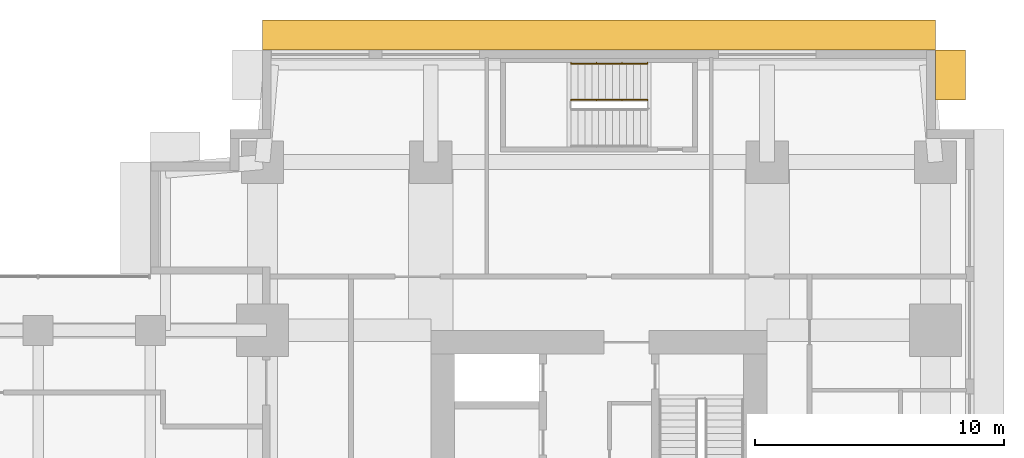
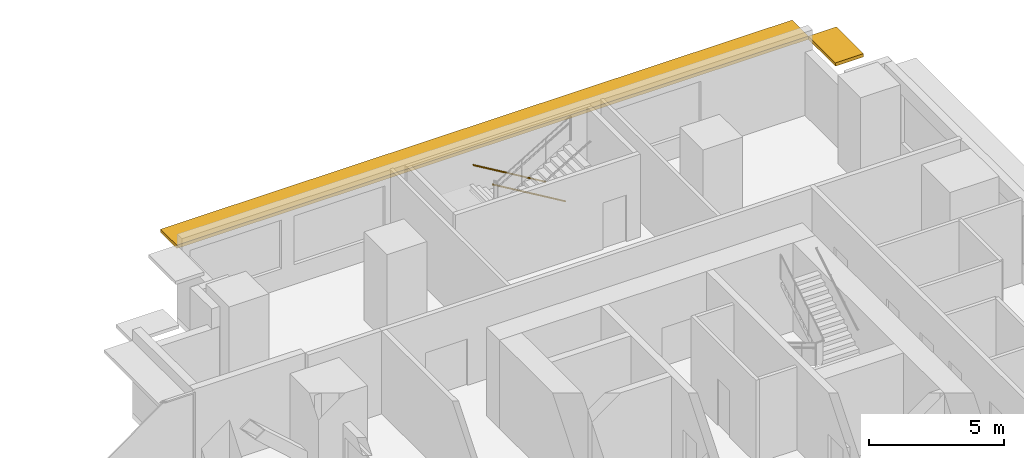
# One storey, part 16 of 16: 2 railings, 2 shading devices.
"""IFC4 building model written with IfcOpenShell, lengths in metres."""

from ifc_helpers import new_model, si_unit, direction, frame, origin, origin_2d, place, context, subcontext, project, spatial, rectangle, circle, extrude, material, layer, layer_set, type_object, element, save


model = new_model("IFC4")

# Units and contexts
model_context = context("Model", 3, precision=1e-05, world=origin(), true_north=direction((0.0, 1.0)))
body_context = subcontext(model_context, "Body", "Model", "MODEL_VIEW")
ifc_project = project(units=[si_unit("LENGTHUNIT", "METRE"), si_unit("AREAUNIT", "SQUARE_METRE"), si_unit("VOLUMEUNIT", "CUBIC_METRE"), si_unit("PLANEANGLEUNIT", "RADIAN"), si_unit("MASSUNIT", "GRAM", prefix="KILO")], contexts=[model_context])

# Site, building, storey
site_placement = place(None, origin())
site = spatial("IfcSite", under=ifc_project, at=site_placement, CompositionType="ELEMENT")
building_placement = place(site_placement, origin())
building = spatial("IfcBuilding", under=site, at=building_placement, Name="Namib Vertical Campus", CompositionType="ELEMENT")
storey_placement = place(building_placement, frame((0.0, 0.0, 117.0)))
storey = spatial("IfcBuildingStorey", under=building, at=storey_placement, Name="L27", CompositionType="ELEMENT", Elevation=117.0)

# Railings
ifc_material_1 = material(Name="Steel handrail", Category="steel")
railing_type = type_object("IfcRailingType", Name="Handrail 900", PredefinedType="HANDRAIL", material=ifc_material_1)
railing_1_placement = place(storey_placement, frame((82.949951171875, 39.949951171875, 0.166748046875)))
element("IfcRailing", 1, at=railing_1_placement, inside=storey, type_object=railing_type, Name="Handrail HR1 B-S3 L27 1", PredefinedType="HANDRAIL", context=body_context, shape_type="SweptSolid", body=[
    extrude(circle(Radius=0.02392578125, at=origin_2d()), frame((0.0, 0.0, 0.8759765625), z_axis=(-0.859290745958, 0.0, 0.51148745235), x_axis=(0.0, -1.0, 0.0)), (0.0, 0.0, 1.0), 3.584228515625),
    extrude(circle(Radius=0.008056640625, at=origin_2d()), frame((0.0, 0.0, 0.8759765625), z_axis=(0.0, 1.0, 0.0), x_axis=(0.0, 0.0, 1.0)), (0.0, 0.0, 1.0), 0.050048828125),
    extrude(circle(Radius=0.008056640625, at=origin_2d()), frame((-1.026611328125, 0.0, 1.48681640625), z_axis=(0.0, 1.0, 0.0), x_axis=(0.0, 0.0, 1.0)), (0.0, 0.0, 1.0), 0.050048828125),
    extrude(circle(Radius=0.008056640625, at=origin_2d()), frame((-2.05322265625, 0.0, 2.09814453125), z_axis=(0.0, 1.0, 0.0), x_axis=(0.0, 0.0, 1.0)), (0.0, 0.0, 1.0), 0.050048828125),
    extrude(circle(Radius=0.008056640625, at=origin_2d()), frame((-3.079833984375, 0.0, 2.708984375), z_axis=(0.0, 1.0, 0.0), x_axis=(0.0, 0.0, 1.0)), (0.0, 0.0, 1.0), 0.050048828125),
])
railing_2_placement = place(storey_placement, frame((82.949951171875, 38.5, 0.166748046875)))
element("IfcRailing", 2, at=railing_2_placement, inside=storey, type_object=railing_type, Name="Handrail HR1 B-S3 L27 1 at the well", PredefinedType="HANDRAIL", context=body_context, shape_type="SweptSolid", body=[
    extrude(circle(Radius=0.02392578125, at=origin_2d()), frame((0.0, 0.0, 0.8759765625), z_axis=(-0.859290745958, 0.0, 0.51148745235), x_axis=(0.0, -1.0, 0.0)), (0.0, 0.0, 1.0), 3.584228515625),
    extrude(circle(Radius=0.008056640625, at=origin_2d()), frame((0.0, 0.0, 0.8759765625), z_axis=(0.0, -1.0, 0.0), x_axis=(0.0, 0.0, 1.0)), (0.0, 0.0, 1.0), 0.0400390625),
    extrude(circle(Radius=0.008056640625, at=origin_2d()), frame((-1.026611328125, 0.0, 1.48681640625), z_axis=(0.0, -1.0, 0.0), x_axis=(0.0, 0.0, 1.0)), (0.0, 0.0, 1.0), 0.0400390625),
    extrude(circle(Radius=0.008056640625, at=origin_2d()), frame((-2.05322265625, 0.0, 2.09814453125), z_axis=(0.0, -1.0, 0.0), x_axis=(0.0, 0.0, 1.0)), (0.0, 0.0, 1.0), 0.0400390625),
    extrude(circle(Radius=0.008056640625, at=origin_2d()), frame((-3.079833984375, 0.0, 2.708984375), z_axis=(0.0, -1.0, 0.0), x_axis=(0.0, 0.0, 1.0)), (0.0, 0.0, 1.0), 0.0400390625),
])

# Shading devices
ifc_material_2 = material(Name="Concrete C40/50 precast", Category="concrete")
ifc_layer = layer(ifc_material_2, 0.14990234375)
ifc_layer_set = layer_set([ifc_layer], Name="Concrete C40/50 precast")
shading_device_type = type_object("IfcShadingDeviceType", Name="Sunshade hood 1200", PredefinedType="SHUTTER", material=ifc_layer_set)
shading_device_1_placement = place(storey_placement, frame((95.10009765625, 39.5, 3.10009765625), z_axis=(0.0, 0.0, 1.0), x_axis=(0.0, 1.0, 0.0)))
element("IfcShadingDevice", 3, at=shading_device_1_placement, inside=storey, type_object=shading_device_type, Name="Sunshade SH2 L27 7", PredefinedType="SHUTTER", context=body_context, shape_type="SweptSolid", body=[
    extrude(rectangle(XDim=2.0, YDim=1.199951171875, at=origin_2d()), origin(), (0.0, 0.0, 1.0), 0.14990234375),
])
shading_device_2_placement = place(storey_placement, frame((81.0, 41.10009765625, 3.10009765625), z_axis=(0.0, 0.0, 1.0), x_axis=(-1.0, 0.0, 0.0)))
element("IfcShadingDevice", 4, at=shading_device_2_placement, inside=storey, type_object=shading_device_type, Name="Sunshade SH2 L27 8", PredefinedType="SHUTTER", context=body_context, shape_type="SweptSolid", body=[
    extrude(rectangle(XDim=27.0, YDim=1.199951171875, at=origin_2d()), origin(), (0.0, 0.0, 1.0), 0.14990234375),
])

save(model, "model.ifc")
